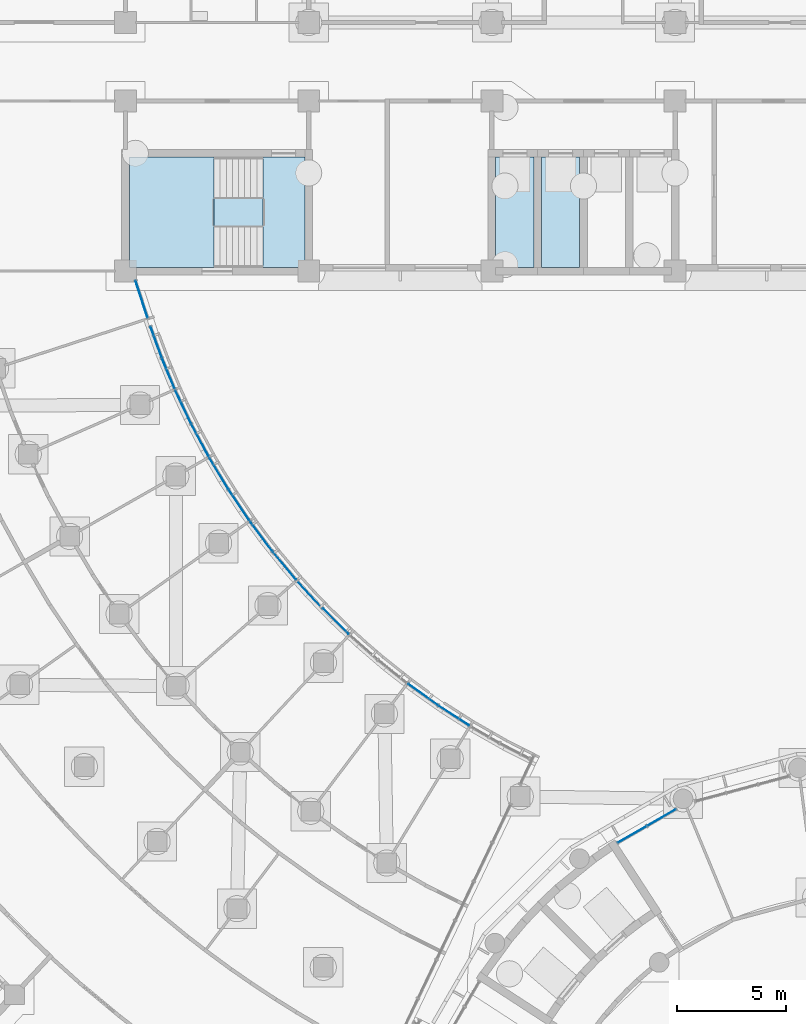
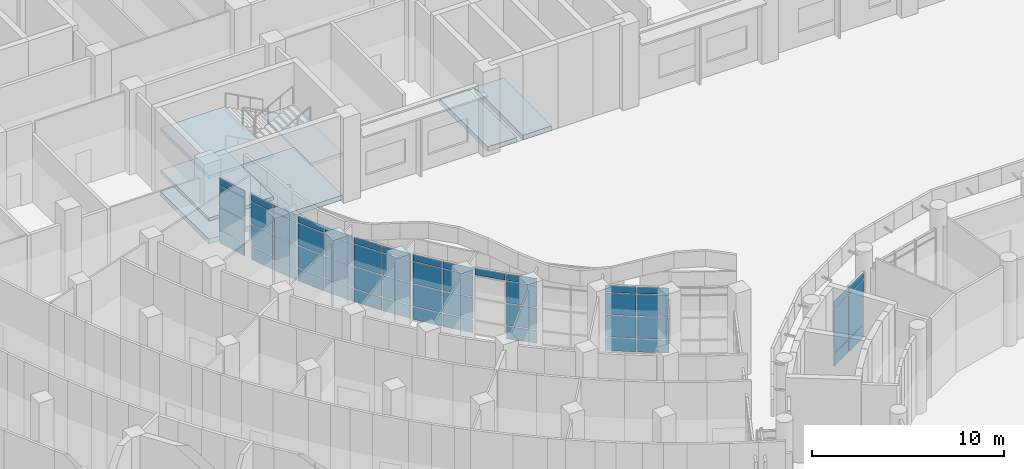
# One storey, part 45 of 146: 55 plates, 6 slabs, 9 elements without a shape of their own.
"""IFC4 building model written with IfcOpenShell, lengths in metres."""

from ifc_helpers import new_model, si_unit, direction, frame, origin, origin_2d, place, context, subcontext, project, spatial, polyline, rectangle, outline, extrude, material, layer, layer_set, type_object, element, aggregate, save


model = new_model("IFC4")

# Units and contexts
model_context = context("Model", 3, precision=1e-05, world=origin(), true_north=direction((0.0, 1.0)))
body_context = subcontext(model_context, "Body", "Model", "MODEL_VIEW")
ifc_project = project(units=[si_unit("LENGTHUNIT", "METRE"), si_unit("AREAUNIT", "SQUARE_METRE"), si_unit("VOLUMEUNIT", "CUBIC_METRE"), si_unit("PLANEANGLEUNIT", "RADIAN"), si_unit("MASSUNIT", "GRAM", prefix="KILO")], contexts=[model_context])

# Site, building, storey
site_placement = place(None, origin())
site = spatial("IfcSite", under=ifc_project, at=site_placement, CompositionType="ELEMENT")
building_placement = place(site_placement, origin())
building = spatial("IfcBuilding", under=site, at=building_placement, Name="Bougainvillea Quay General Hospital", CompositionType="ELEMENT")
storey_placement = place(building_placement, origin())
storey = spatial("IfcBuildingStorey", under=building, at=storey_placement, Name="L00", CompositionType="ELEMENT", Elevation=0.0)

# Curtain wall, plates
ifc_material_1 = material(Name="Aluminium curtain wall system, powder-coated glazed", Category="aluminium")
curtain_wall_type_1 = type_object("IfcCurtainWallType", Name="Unitised curtain wall CW-2100", PredefinedType="NOTDEFINED", material=ifc_material_1)
curtain_wall_1_placement = place(storey_placement, origin())
curtain_wall_1 = element("IfcCurtainWall", 1, at=curtain_wall_1_placement, inside=storey, type_object=curtain_wall_type_1, Name="CW-W02 a11b1", PredefinedType="NOTDEFINED")
ifc_material_2 = material(Name="Insulated aluminium spandrel panel, white", Category="aluminium")
ifc_layer_1 = layer(ifc_material_2, 0.028076171875)
ifc_layer_set_1 = layer_set([ifc_layer_1], Name="Insulated aluminium spandrel panel, white")
plate_type_1 = type_object("IfcPlateType", Name="Insulated spandrel panel white 28", PredefinedType="CURTAIN_PANEL", material=ifc_layer_set_1)
plate_1_placement = place(storey_placement, frame((90.657470703125, 97.216796875, 0.06005859375), z_axis=(0.0, 0.0, 1.0), x_axis=(-0.840897357359, 0.541194636325, 0.0)))
plate_1 = element("IfcPlate", 2, at=plate_1_placement, type_object=plate_type_1, Name="CW-W02 spandrel panel 1.1", PredefinedType="CURTAIN_PANEL", context=body_context, shape_type="SweptSolid", body=[
    extrude(rectangle(XDim=1.64697265625, YDim=0.028076171875, at=origin_2d()), origin(), (0.0, 0.0, 1.0), 0.81005859375),
])
plate_2_placement = place(storey_placement, frame((90.657470703125, 97.216796875, 3.7802734375), z_axis=(0.0, 0.0, 1.0), x_axis=(-0.840897357359, 0.541194636325, 0.0)))
plate_2 = element("IfcPlate", 3, at=plate_2_placement, type_object=plate_type_1, Name="CW-W02 spandrel panel 1.4", PredefinedType="CURTAIN_PANEL", context=body_context, shape_type="SweptSolid", body=[
    extrude(rectangle(XDim=1.64697265625, YDim=0.028076171875, at=origin_2d()), origin(), (0.0, 0.0, 1.0), 0.409912109375),
])
plate_3_placement = place(storey_placement, frame((89.246337890625, 98.17626953125, 0.06005859375), z_axis=(0.0, 0.0, 1.0), x_axis=(-0.812378779606, 0.583130104218, 0.0)))
plate_3 = element("IfcPlate", 4, at=plate_3_placement, type_object=plate_type_1, Name="CW-W02 spandrel panel 2.1", PredefinedType="CURTAIN_PANEL", context=body_context, shape_type="SweptSolid", body=[
    extrude(rectangle(XDim=1.64697265625, YDim=0.028076171875, at=origin_2d()), origin(), (0.0, 0.0, 1.0), 0.81005859375),
])
plate_4_placement = place(storey_placement, frame((89.246337890625, 98.17626953125, 3.7802734375), z_axis=(0.0, 0.0, 1.0), x_axis=(-0.812378779606, 0.583130104218, 0.0)))
plate_4 = element("IfcPlate", 5, at=plate_4_placement, type_object=plate_type_1, Name="CW-W02 spandrel panel 2.4", PredefinedType="CURTAIN_PANEL", context=body_context, shape_type="SweptSolid", body=[
    extrude(rectangle(XDim=1.64697265625, YDim=0.028076171875, at=origin_2d()), origin(), (0.0, 0.0, 1.0), 0.409912109375),
])

curtain_wall_2_placement = place(storey_placement, origin())
curtain_wall_2 = element("IfcCurtainWall", 6, at=curtain_wall_2_placement, inside=storey, type_object=curtain_wall_type_1, Name="CW-W04 a11b3", PredefinedType="NOTDEFINED")
plate_5_placement = place(storey_placement, frame((85.23828125, 101.543212890625, 0.06005859375), z_axis=(0.0, 0.0, 1.0), x_axis=(-0.714606992183, 0.699526158712, 0.0)))
plate_5 = element("IfcPlate", 7, at=plate_5_placement, type_object=plate_type_1, Name="CW-W04 spandrel panel 1.1", PredefinedType="CURTAIN_PANEL", context=body_context, shape_type="SweptSolid", body=[
    extrude(rectangle(XDim=1.64697265625, YDim=0.028076171875, at=origin_2d()), origin(), (0.0, 0.0, 1.0), 0.81005859375),
])
plate_6_placement = place(storey_placement, frame((85.23828125, 101.543212890625, 3.7802734375), z_axis=(0.0, 0.0, 1.0), x_axis=(-0.714606992183, 0.699526158712, 0.0)))
plate_6 = element("IfcPlate", 8, at=plate_6_placement, type_object=plate_type_1, Name="CW-W04 spandrel panel 1.4", PredefinedType="CURTAIN_PANEL", context=body_context, shape_type="SweptSolid", body=[
    extrude(rectangle(XDim=1.64697265625, YDim=0.028076171875, at=origin_2d()), origin(), (0.0, 0.0, 1.0), 0.409912109375),
])
plate_7_placement = place(storey_placement, frame((84.049560546875, 102.767333984375, 3.7802734375), z_axis=(0.0, 0.0, 1.0), x_axis=(-0.678223800683, 0.734855411756, 0.0)))
plate_7 = element("IfcPlate", 9, at=plate_7_placement, type_object=plate_type_1, Name="CW-W04 spandrel panel 2.4", PredefinedType="CURTAIN_PANEL", context=body_context, shape_type="SweptSolid", body=[
    extrude(rectangle(XDim=1.64697265625, YDim=0.028076171875, at=origin_2d()), origin(), (0.0, 0.0, 1.0), 0.409912109375),
])

curtain_wall_3_placement = place(storey_placement, origin())
curtain_wall_3 = element("IfcCurtainWall", 10, at=curtain_wall_3_placement, inside=storey, type_object=curtain_wall_type_1, Name="CW-W05 a11b4", PredefinedType="NOTDEFINED")
plate_8_placement = place(storey_placement, frame((82.884765625, 104.09521484375, 0.06005859375), z_axis=(0.0, 0.0, 1.0), x_axis=(-0.64009629031, 0.768294695498, 0.0)))
plate_8 = element("IfcPlate", 11, at=plate_8_placement, type_object=plate_type_1, Name="CW-W05 spandrel panel 1.1", PredefinedType="CURTAIN_PANEL", context=body_context, shape_type="SweptSolid", body=[
    extrude(rectangle(XDim=1.64697265625, YDim=0.028076171875, at=origin_2d()), origin(), (0.0, 0.0, 1.0), 0.81005859375),
])
plate_9_placement = place(storey_placement, frame((82.884765625, 104.09521484375, 3.7802734375), z_axis=(0.0, 0.0, 1.0), x_axis=(-0.64009629031, 0.768294695498, 0.0)))
plate_9 = element("IfcPlate", 12, at=plate_9_placement, type_object=plate_type_1, Name="CW-W05 spandrel panel 1.4", PredefinedType="CURTAIN_PANEL", context=body_context, shape_type="SweptSolid", body=[
    extrude(rectangle(XDim=1.64697265625, YDim=0.028076171875, at=origin_2d()), origin(), (0.0, 0.0, 1.0), 0.409912109375),
])
plate_10_placement = place(storey_placement, frame((81.826171875, 105.43359375, 0.06005859375), z_axis=(0.0, 0.0, 1.0), x_axis=(-0.600322520933, 0.799758007688, 0.0)))
plate_10 = element("IfcPlate", 13, at=plate_10_placement, type_object=plate_type_1, Name="CW-W05 spandrel panel 2.1", PredefinedType="CURTAIN_PANEL", context=body_context, shape_type="SweptSolid", body=[
    extrude(rectangle(XDim=1.64697265625, YDim=0.028076171875, at=origin_2d()), origin(), (0.0, 0.0, 1.0), 0.81005859375),
])
plate_11_placement = place(storey_placement, frame((81.826171875, 105.43359375, 3.7802734375), z_axis=(0.0, 0.0, 1.0), x_axis=(-0.600322520933, 0.799758007688, 0.0)))
plate_11 = element("IfcPlate", 14, at=plate_11_placement, type_object=plate_type_1, Name="CW-W05 spandrel panel 2.4", PredefinedType="CURTAIN_PANEL", context=body_context, shape_type="SweptSolid", body=[
    extrude(rectangle(XDim=1.64697265625, YDim=0.028076171875, at=origin_2d()), origin(), (0.0, 0.0, 1.0), 0.409912109375),
])

curtain_wall_4_placement = place(storey_placement, origin())
curtain_wall_4 = element("IfcCurtainWall", 15, at=curtain_wall_4_placement, inside=storey, type_object=curtain_wall_type_1, Name="CW-W06 a11b5", PredefinedType="NOTDEFINED")
plate_12_placement = place(storey_placement, frame((80.802001953125, 106.872802734375, 0.06005859375), z_axis=(0.0, 0.0, 1.0), x_axis=(-0.55900478642, 0.82916442806, 0.0)))
plate_12 = element("IfcPlate", 16, at=plate_12_placement, type_object=plate_type_1, Name="CW-W06 spandrel panel 1.1", PredefinedType="CURTAIN_PANEL", context=body_context, shape_type="SweptSolid", body=[
    extrude(rectangle(XDim=1.64697265625, YDim=0.028076171875, at=origin_2d()), origin(), (0.0, 0.0, 1.0), 0.81005859375),
])
plate_13_placement = place(storey_placement, frame((80.802001953125, 106.872802734375, 3.7802734375), z_axis=(0.0, 0.0, 1.0), x_axis=(-0.55900478642, 0.82916442806, 0.0)))
plate_13 = element("IfcPlate", 17, at=plate_13_placement, type_object=plate_type_1, Name="CW-W06 spandrel panel 1.4", PredefinedType="CURTAIN_PANEL", context=body_context, shape_type="SweptSolid", body=[
    extrude(rectangle(XDim=1.64697265625, YDim=0.028076171875, at=origin_2d()), origin(), (0.0, 0.0, 1.0), 0.409912109375),
])
plate_14_placement = place(storey_placement, frame((79.88427734375, 108.311279296875, 0.06005859375), z_axis=(0.0, 0.0, 1.0), x_axis=(-0.516249351553, 0.856438326455, 0.0)))
plate_14 = element("IfcPlate", 18, at=plate_14_placement, type_object=plate_type_1, Name="CW-W06 spandrel panel 2.1", PredefinedType="CURTAIN_PANEL", context=body_context, shape_type="SweptSolid", body=[
    extrude(rectangle(XDim=1.64697265625, YDim=0.028076171875, at=origin_2d()), origin(), (0.0, 0.0, 1.0), 0.81005859375),
])
plate_15_placement = place(storey_placement, frame((79.88427734375, 108.311279296875, 3.7802734375), z_axis=(0.0, 0.0, 1.0), x_axis=(-0.516249351553, 0.856438326455, 0.0)))
plate_15 = element("IfcPlate", 19, at=plate_15_placement, type_object=plate_type_1, Name="CW-W06 spandrel panel 2.4", PredefinedType="CURTAIN_PANEL", context=body_context, shape_type="SweptSolid", body=[
    extrude(rectangle(XDim=1.64697265625, YDim=0.028076171875, at=origin_2d()), origin(), (0.0, 0.0, 1.0), 0.409912109375),
])

curtain_wall_5_placement = place(storey_placement, origin())
curtain_wall_5 = element("IfcCurtainWall", 20, at=curtain_wall_5_placement, inside=storey, type_object=curtain_wall_type_1, Name="CW-W07 a11b6", PredefinedType="NOTDEFINED")
plate_16_placement = place(storey_placement, frame((79.010986328125, 109.8466796875, 0.06005859375), z_axis=(0.0, 0.0, 1.0), x_axis=(-0.472166178724, 0.881509557333, 0.0)))
plate_16 = element("IfcPlate", 21, at=plate_16_placement, type_object=plate_type_1, Name="CW-W07 spandrel panel 1.1", PredefinedType="CURTAIN_PANEL", context=body_context, shape_type="SweptSolid", body=[
    extrude(rectangle(XDim=1.64697265625, YDim=0.028076171875, at=origin_2d()), origin(), (0.0, 0.0, 1.0), 0.81005859375),
])
plate_17_placement = place(storey_placement, frame((79.010986328125, 109.8466796875, 3.7802734375), z_axis=(0.0, 0.0, 1.0), x_axis=(-0.472166178724, 0.881509557333, 0.0)))
plate_17 = element("IfcPlate", 22, at=plate_17_placement, type_object=plate_type_1, Name="CW-W07 spandrel panel 1.4", PredefinedType="CURTAIN_PANEL", context=body_context, shape_type="SweptSolid", body=[
    extrude(rectangle(XDim=1.64697265625, YDim=0.028076171875, at=origin_2d()), origin(), (0.0, 0.0, 1.0), 0.409912109375),
])
plate_18_placement = place(storey_placement, frame((78.24365234375, 111.370849609375, 0.06005859375), z_axis=(0.0, 0.0, 1.0), x_axis=(-0.426868645126, 0.904313640176, 0.0)))
plate_18 = element("IfcPlate", 23, at=plate_18_placement, type_object=plate_type_1, Name="CW-W07 spandrel panel 2.1", PredefinedType="CURTAIN_PANEL", context=body_context, shape_type="SweptSolid", body=[
    extrude(rectangle(XDim=1.64697265625, YDim=0.028076171875, at=origin_2d()), origin(), (0.0, 0.0, 1.0), 0.81005859375),
])
plate_19_placement = place(storey_placement, frame((78.24365234375, 111.370849609375, 3.7802734375), z_axis=(0.0, 0.0, 1.0), x_axis=(-0.426868645126, 0.904313640176, 0.0)))
plate_19 = element("IfcPlate", 24, at=plate_19_placement, type_object=plate_type_1, Name="CW-W07 spandrel panel 2.4", PredefinedType="CURTAIN_PANEL", context=body_context, shape_type="SweptSolid", body=[
    extrude(rectangle(XDim=1.64697265625, YDim=0.028076171875, at=origin_2d()), origin(), (0.0, 0.0, 1.0), 0.409912109375),
])

curtain_wall_6_placement = place(storey_placement, origin())
curtain_wall_6 = element("IfcCurtainWall", 25, at=curtain_wall_6_placement, inside=storey, type_object=curtain_wall_type_1, Name="CW-W08 a11b7", PredefinedType="NOTDEFINED")
plate_20_placement = place(storey_placement, frame((77.56103515625, 112.907470703125, 0.06005859375), z_axis=(0.0, 0.0, 1.0), x_axis=(-0.382770483282, 0.923843470036, 0.0)))
plate_20 = element("IfcPlate", 26, at=plate_20_placement, type_object=plate_type_1, Name="CW-W08 spandrel panel 1.1", PredefinedType="CURTAIN_PANEL", context=body_context, shape_type="SweptSolid", body=[
    extrude(rectangle(XDim=1.476806640625, YDim=0.028076171875, at=origin_2d()), origin(), (0.0, 0.0, 1.0), 0.81005859375),
])
plate_21_placement = place(storey_placement, frame((77.56103515625, 112.907470703125, 3.7802734375), z_axis=(0.0, 0.0, 1.0), x_axis=(-0.382770483282, 0.923843470036, 0.0)))
plate_21 = element("IfcPlate", 27, at=plate_21_placement, type_object=plate_type_1, Name="CW-W08 spandrel panel 1.4", PredefinedType="CURTAIN_PANEL", context=body_context, shape_type="SweptSolid", body=[
    extrude(rectangle(XDim=1.476806640625, YDim=0.028076171875, at=origin_2d()), origin(), (0.0, 0.0, 1.0), 0.409912109375),
])
plate_22_placement = place(storey_placement, frame((77.005615234375, 114.33984375, 0.06005859375), z_axis=(0.0, 0.0, 1.0), x_axis=(-0.340120177444, 0.940381978185, 0.0)))
plate_22 = element("IfcPlate", 28, at=plate_22_placement, type_object=plate_type_1, Name="CW-W08 spandrel panel 2.1", PredefinedType="CURTAIN_PANEL", context=body_context, shape_type="SweptSolid", body=[
    extrude(rectangle(XDim=1.476806640625, YDim=0.028076171875, at=origin_2d()), origin(), (0.0, 0.0, 1.0), 0.81005859375),
])
plate_23_placement = place(storey_placement, frame((77.005615234375, 114.33984375, 3.7802734375), z_axis=(0.0, 0.0, 1.0), x_axis=(-0.340120177444, 0.940381978185, 0.0)))
plate_23 = element("IfcPlate", 29, at=plate_23_placement, type_object=plate_type_1, Name="CW-W08 spandrel panel 2.4", PredefinedType="CURTAIN_PANEL", context=body_context, shape_type="SweptSolid", body=[
    extrude(rectangle(XDim=1.476806640625, YDim=0.028076171875, at=origin_2d()), origin(), (0.0, 0.0, 1.0), 0.409912109375),
])

curtain_wall_type_2 = type_object("IfcCurtainWallType", Name="Unitised curtain wall CW-1875", PredefinedType="NOTDEFINED", material=ifc_material_1)
curtain_wall_7_placement = place(storey_placement, origin())
curtain_wall_7 = element("IfcCurtainWall", 30, at=curtain_wall_7_placement, inside=storey, type_object=curtain_wall_type_2, Name="CW-AE 00", PredefinedType="NOTDEFINED")
plate_24_placement = place(storey_placement, frame((76.336669921875, 116.30712890625, 0.06005859375), z_axis=(0.0, 0.0, 1.0), x_axis=(-0.308970506674, 0.951071619809, 0.0)))
plate_24 = element("IfcPlate", 31, at=plate_24_placement, type_object=plate_type_1, Name="CW-AE spandrel panel 1.1", PredefinedType="CURTAIN_PANEL", context=body_context, shape_type="SweptSolid", body=[
    extrude(rectangle(XDim=1.75439453125, YDim=0.028076171875, at=origin_2d()), origin(), (0.0, 0.0, 1.0), 0.81005859375),
])
plate_25_placement = place(storey_placement, frame((76.336669921875, 116.30712890625, 3.7802734375), z_axis=(0.0, 0.0, 1.0), x_axis=(-0.308970506674, 0.951071619809, 0.0)))
plate_25 = element("IfcPlate", 32, at=plate_25_placement, type_object=plate_type_1, Name="CW-AE spandrel panel 1.4", PredefinedType="CURTAIN_PANEL", context=body_context, shape_type="SweptSolid", body=[
    extrude(rectangle(XDim=1.75439453125, YDim=0.028076171875, at=origin_2d()), origin(), (0.0, 0.0, 1.0), 0.409912109375),
])

curtain_wall_type_3 = type_object("IfcCurtainWallType", Name="Unitised curtain wall CW-1585", PredefinedType="NOTDEFINED", material=ifc_material_1)
curtain_wall_8_placement = place(storey_placement, origin())
curtain_wall_8 = element("IfcCurtainWall", 33, at=curtain_wall_8_placement, inside=storey, type_object=curtain_wall_type_3, Name="CW-D 00", PredefinedType="NOTDEFINED")
plate_26_placement = place(storey_placement, frame((100.1826171875, 92.5458984375, 0.06005859375), z_axis=(0.0, 0.0, 1.0), x_axis=(-0.866045865692, -0.499964557262, 0.0)))
plate_26 = element("IfcPlate", 34, at=plate_26_placement, type_object=plate_type_1, Name="CW-D spandrel panel 1.1", PredefinedType="CURTAIN_PANEL", context=body_context, shape_type="SweptSolid", body=[
    extrude(rectangle(XDim=1.494873046875, YDim=0.028076171875, at=origin_2d()), origin(), (0.0, 0.0, 1.0), 0.81005859375),
])
plate_27_placement = place(storey_placement, frame((100.1826171875, 92.5458984375, 3.7802734375), z_axis=(0.0, 0.0, 1.0), x_axis=(-0.866045865692, -0.499964557262, 0.0)))
plate_27 = element("IfcPlate", 35, at=plate_27_placement, type_object=plate_type_1, Name="CW-D spandrel panel 1.3", PredefinedType="CURTAIN_PANEL", context=body_context, shape_type="SweptSolid", body=[
    extrude(rectangle(XDim=1.494873046875, YDim=0.028076171875, at=origin_2d()), origin(), (0.0, 0.0, 1.0), 0.409912109375),
])
plate_28_placement = place(storey_placement, frame((98.8359375, 91.768310546875, 0.06005859375), z_axis=(0.0, 0.0, 1.0), x_axis=(-0.866045865692, -0.499964557262, 0.0)))
plate_28 = element("IfcPlate", 36, at=plate_28_placement, type_object=plate_type_1, Name="CW-D spandrel panel 2.1", PredefinedType="CURTAIN_PANEL", context=body_context, shape_type="SweptSolid", body=[
    extrude(rectangle(XDim=1.494873046875, YDim=0.028076171875, at=origin_2d()), origin(), (0.0, 0.0, 1.0), 0.81005859375),
])
plate_29_placement = place(storey_placement, frame((98.8359375, 91.768310546875, 3.7802734375), z_axis=(0.0, 0.0, 1.0), x_axis=(-0.866045865692, -0.499964557262, 0.0)))
plate_29 = element("IfcPlate", 37, at=plate_29_placement, type_object=plate_type_1, Name="CW-D spandrel panel 2.3", PredefinedType="CURTAIN_PANEL", context=body_context, shape_type="SweptSolid", body=[
    extrude(rectangle(XDim=1.494873046875, YDim=0.028076171875, at=origin_2d()), origin(), (0.0, 0.0, 1.0), 0.409912109375),
])

# Plate
ifc_material_3 = material(Name="Low-e laminated glass, solar control", Category="glass")
ifc_layer_2 = layer(ifc_material_3, 0.028076171875)
ifc_layer_set_2 = layer_set([ifc_layer_2], Name="Low-e laminated glass, solar control")
plate_type_2 = type_object("IfcPlateType", Name="Low-e laminated vision glass 28", PredefinedType="CURTAIN_PANEL", material=ifc_layer_set_2)
plate_30_placement = place(storey_placement, frame((90.657470703125, 97.216796875, 0.93017578125), z_axis=(0.0, 0.0, 1.0), x_axis=(-0.840897357359, 0.541194636325, 0.0)))
plate_30 = element("IfcPlate", 38, at=plate_30_placement, type_object=plate_type_2, Name="CW-W02 vision glass panel 1.2", PredefinedType="CURTAIN_PANEL", context=body_context, shape_type="SweptSolid", body=[
    extrude(rectangle(XDim=1.64697265625, YDim=0.028076171875, at=origin_2d()), origin(), (0.0, 0.0, 1.0), 1.364990234375),
])

plate_31_placement = place(storey_placement, frame((90.657470703125, 97.216796875, 2.35498046875), z_axis=(0.0, 0.0, 1.0), x_axis=(-0.840897357359, 0.541194636325, 0.0)))
plate_31 = element("IfcPlate", 39, at=plate_31_placement, type_object=plate_type_2, Name="CW-W02 vision glass panel 1.3", PredefinedType="CURTAIN_PANEL", context=body_context, shape_type="SweptSolid", body=[
    extrude(rectangle(XDim=1.64697265625, YDim=0.028076171875, at=origin_2d()), origin(), (0.0, 0.0, 1.0), 1.364990234375),
])

plate_32_placement = place(storey_placement, frame((89.246337890625, 98.17626953125, 0.93017578125), z_axis=(0.0, 0.0, 1.0), x_axis=(-0.812378779606, 0.583130104218, 0.0)))
plate_32 = element("IfcPlate", 40, at=plate_32_placement, type_object=plate_type_2, Name="CW-W02 vision glass panel 2.2", PredefinedType="CURTAIN_PANEL", context=body_context, shape_type="SweptSolid", body=[
    extrude(rectangle(XDim=1.64697265625, YDim=0.028076171875, at=origin_2d()), origin(), (0.0, 0.0, 1.0), 1.364990234375),
])

plate_33_placement = place(storey_placement, frame((89.246337890625, 98.17626953125, 2.35498046875), z_axis=(0.0, 0.0, 1.0), x_axis=(-0.812378779606, 0.583130104218, 0.0)))
plate_33 = element("IfcPlate", 41, at=plate_33_placement, type_object=plate_type_2, Name="CW-W02 vision glass panel 2.3", PredefinedType="CURTAIN_PANEL", context=body_context, shape_type="SweptSolid", body=[
    extrude(rectangle(XDim=1.64697265625, YDim=0.028076171875, at=origin_2d()), origin(), (0.0, 0.0, 1.0), 1.364990234375),
])

aggregate(curtain_wall_1, [plate_1, plate_30, plate_31, plate_2, plate_3, plate_32, plate_33, plate_4])

plate_34_placement = place(storey_placement, frame((85.23828125, 101.543212890625, 0.93017578125), z_axis=(0.0, 0.0, 1.0), x_axis=(-0.714606992183, 0.699526158712, 0.0)))
plate_34 = element("IfcPlate", 42, at=plate_34_placement, type_object=plate_type_2, Name="CW-W04 vision glass panel 1.2", PredefinedType="CURTAIN_PANEL", context=body_context, shape_type="SweptSolid", body=[
    extrude(rectangle(XDim=1.64697265625, YDim=0.028076171875, at=origin_2d()), origin(), (0.0, 0.0, 1.0), 1.364990234375),
])

plate_35_placement = place(storey_placement, frame((85.23828125, 101.543212890625, 2.35498046875), z_axis=(0.0, 0.0, 1.0), x_axis=(-0.714606992183, 0.699526158712, 0.0)))
plate_35 = element("IfcPlate", 43, at=plate_35_placement, type_object=plate_type_2, Name="CW-W04 vision glass panel 1.3", PredefinedType="CURTAIN_PANEL", context=body_context, shape_type="SweptSolid", body=[
    extrude(rectangle(XDim=1.64697265625, YDim=0.028076171875, at=origin_2d()), origin(), (0.0, 0.0, 1.0), 1.364990234375),
])

aggregate(curtain_wall_2, [plate_5, plate_34, plate_35, plate_6, plate_7])

plate_36_placement = place(storey_placement, frame((82.884765625, 104.09521484375, 0.93017578125), z_axis=(0.0, 0.0, 1.0), x_axis=(-0.64009629031, 0.768294695498, 0.0)))
plate_36 = element("IfcPlate", 44, at=plate_36_placement, type_object=plate_type_2, Name="CW-W05 vision glass panel 1.2", PredefinedType="CURTAIN_PANEL", context=body_context, shape_type="SweptSolid", body=[
    extrude(rectangle(XDim=1.64697265625, YDim=0.028076171875, at=origin_2d()), origin(), (0.0, 0.0, 1.0), 1.364990234375),
])

plate_37_placement = place(storey_placement, frame((82.884765625, 104.09521484375, 2.35498046875), z_axis=(0.0, 0.0, 1.0), x_axis=(-0.64009629031, 0.768294695498, 0.0)))
plate_37 = element("IfcPlate", 45, at=plate_37_placement, type_object=plate_type_2, Name="CW-W05 vision glass panel 1.3", PredefinedType="CURTAIN_PANEL", context=body_context, shape_type="SweptSolid", body=[
    extrude(rectangle(XDim=1.64697265625, YDim=0.028076171875, at=origin_2d()), origin(), (0.0, 0.0, 1.0), 1.364990234375),
])

plate_38_placement = place(storey_placement, frame((81.826171875, 105.43359375, 0.93017578125), z_axis=(0.0, 0.0, 1.0), x_axis=(-0.600322520933, 0.799758007688, 0.0)))
plate_38 = element("IfcPlate", 46, at=plate_38_placement, type_object=plate_type_2, Name="CW-W05 vision glass panel 2.2", PredefinedType="CURTAIN_PANEL", context=body_context, shape_type="SweptSolid", body=[
    extrude(rectangle(XDim=1.64697265625, YDim=0.028076171875, at=origin_2d()), origin(), (0.0, 0.0, 1.0), 1.364990234375),
])

plate_39_placement = place(storey_placement, frame((81.826171875, 105.43359375, 2.35498046875), z_axis=(0.0, 0.0, 1.0), x_axis=(-0.600322520933, 0.799758007688, 0.0)))
plate_39 = element("IfcPlate", 47, at=plate_39_placement, type_object=plate_type_2, Name="CW-W05 vision glass panel 2.3", PredefinedType="CURTAIN_PANEL", context=body_context, shape_type="SweptSolid", body=[
    extrude(rectangle(XDim=1.64697265625, YDim=0.028076171875, at=origin_2d()), origin(), (0.0, 0.0, 1.0), 1.364990234375),
])

aggregate(curtain_wall_3, [plate_8, plate_36, plate_37, plate_9, plate_10, plate_38, plate_39, plate_11])

plate_40_placement = place(storey_placement, frame((80.802001953125, 106.872802734375, 0.93017578125), z_axis=(0.0, 0.0, 1.0), x_axis=(-0.55900478642, 0.82916442806, 0.0)))
plate_40 = element("IfcPlate", 48, at=plate_40_placement, type_object=plate_type_2, Name="CW-W06 vision glass panel 1.2", PredefinedType="CURTAIN_PANEL", context=body_context, shape_type="SweptSolid", body=[
    extrude(rectangle(XDim=1.64697265625, YDim=0.028076171875, at=origin_2d()), origin(), (0.0, 0.0, 1.0), 1.364990234375),
])

plate_41_placement = place(storey_placement, frame((80.802001953125, 106.872802734375, 2.35498046875), z_axis=(0.0, 0.0, 1.0), x_axis=(-0.55900478642, 0.82916442806, 0.0)))
plate_41 = element("IfcPlate", 49, at=plate_41_placement, type_object=plate_type_2, Name="CW-W06 vision glass panel 1.3", PredefinedType="CURTAIN_PANEL", context=body_context, shape_type="SweptSolid", body=[
    extrude(rectangle(XDim=1.64697265625, YDim=0.028076171875, at=origin_2d()), origin(), (0.0, 0.0, 1.0), 1.364990234375),
])

plate_42_placement = place(storey_placement, frame((79.88427734375, 108.311279296875, 0.93017578125), z_axis=(0.0, 0.0, 1.0), x_axis=(-0.516249351553, 0.856438326455, 0.0)))
plate_42 = element("IfcPlate", 50, at=plate_42_placement, type_object=plate_type_2, Name="CW-W06 vision glass panel 2.2", PredefinedType="CURTAIN_PANEL", context=body_context, shape_type="SweptSolid", body=[
    extrude(rectangle(XDim=1.64697265625, YDim=0.028076171875, at=origin_2d()), origin(), (0.0, 0.0, 1.0), 1.364990234375),
])

plate_43_placement = place(storey_placement, frame((79.88427734375, 108.311279296875, 2.35498046875), z_axis=(0.0, 0.0, 1.0), x_axis=(-0.516249351553, 0.856438326455, 0.0)))
plate_43 = element("IfcPlate", 51, at=plate_43_placement, type_object=plate_type_2, Name="CW-W06 vision glass panel 2.3", PredefinedType="CURTAIN_PANEL", context=body_context, shape_type="SweptSolid", body=[
    extrude(rectangle(XDim=1.64697265625, YDim=0.028076171875, at=origin_2d()), origin(), (0.0, 0.0, 1.0), 1.364990234375),
])

aggregate(curtain_wall_4, [plate_12, plate_40, plate_41, plate_13, plate_14, plate_42, plate_43, plate_15])

plate_44_placement = place(storey_placement, frame((79.010986328125, 109.8466796875, 0.93017578125), z_axis=(0.0, 0.0, 1.0), x_axis=(-0.472166178724, 0.881509557333, 0.0)))
plate_44 = element("IfcPlate", 52, at=plate_44_placement, type_object=plate_type_2, Name="CW-W07 vision glass panel 1.2", PredefinedType="CURTAIN_PANEL", context=body_context, shape_type="SweptSolid", body=[
    extrude(rectangle(XDim=1.64697265625, YDim=0.028076171875, at=origin_2d()), origin(), (0.0, 0.0, 1.0), 1.364990234375),
])

plate_45_placement = place(storey_placement, frame((79.010986328125, 109.8466796875, 2.35498046875), z_axis=(0.0, 0.0, 1.0), x_axis=(-0.472166178724, 0.881509557333, 0.0)))
plate_45 = element("IfcPlate", 53, at=plate_45_placement, type_object=plate_type_2, Name="CW-W07 vision glass panel 1.3", PredefinedType="CURTAIN_PANEL", context=body_context, shape_type="SweptSolid", body=[
    extrude(rectangle(XDim=1.64697265625, YDim=0.028076171875, at=origin_2d()), origin(), (0.0, 0.0, 1.0), 1.364990234375),
])

plate_46_placement = place(storey_placement, frame((78.24365234375, 111.370849609375, 0.93017578125), z_axis=(0.0, 0.0, 1.0), x_axis=(-0.426868645126, 0.904313640176, 0.0)))
plate_46 = element("IfcPlate", 54, at=plate_46_placement, type_object=plate_type_2, Name="CW-W07 vision glass panel 2.2", PredefinedType="CURTAIN_PANEL", context=body_context, shape_type="SweptSolid", body=[
    extrude(rectangle(XDim=1.64697265625, YDim=0.028076171875, at=origin_2d()), origin(), (0.0, 0.0, 1.0), 1.364990234375),
])

plate_47_placement = place(storey_placement, frame((78.24365234375, 111.370849609375, 2.35498046875), z_axis=(0.0, 0.0, 1.0), x_axis=(-0.426868645126, 0.904313640176, 0.0)))
plate_47 = element("IfcPlate", 55, at=plate_47_placement, type_object=plate_type_2, Name="CW-W07 vision glass panel 2.3", PredefinedType="CURTAIN_PANEL", context=body_context, shape_type="SweptSolid", body=[
    extrude(rectangle(XDim=1.64697265625, YDim=0.028076171875, at=origin_2d()), origin(), (0.0, 0.0, 1.0), 1.364990234375),
])

aggregate(curtain_wall_5, [plate_16, plate_44, plate_45, plate_17, plate_18, plate_46, plate_47, plate_19])

plate_48_placement = place(storey_placement, frame((77.56103515625, 112.907470703125, 0.93017578125), z_axis=(0.0, 0.0, 1.0), x_axis=(-0.382770483282, 0.923843470036, 0.0)))
plate_48 = element("IfcPlate", 56, at=plate_48_placement, type_object=plate_type_2, Name="CW-W08 vision glass panel 1.2", PredefinedType="CURTAIN_PANEL", context=body_context, shape_type="SweptSolid", body=[
    extrude(rectangle(XDim=1.476806640625, YDim=0.028076171875, at=origin_2d()), origin(), (0.0, 0.0, 1.0), 1.364990234375),
])

plate_49_placement = place(storey_placement, frame((77.56103515625, 112.907470703125, 2.35498046875), z_axis=(0.0, 0.0, 1.0), x_axis=(-0.382770483282, 0.923843470036, 0.0)))
plate_49 = element("IfcPlate", 57, at=plate_49_placement, type_object=plate_type_2, Name="CW-W08 vision glass panel 1.3", PredefinedType="CURTAIN_PANEL", context=body_context, shape_type="SweptSolid", body=[
    extrude(rectangle(XDim=1.476806640625, YDim=0.028076171875, at=origin_2d()), origin(), (0.0, 0.0, 1.0), 1.364990234375),
])

plate_50_placement = place(storey_placement, frame((77.005615234375, 114.33984375, 0.93017578125), z_axis=(0.0, 0.0, 1.0), x_axis=(-0.340120177444, 0.940381978185, 0.0)))
plate_50 = element("IfcPlate", 58, at=plate_50_placement, type_object=plate_type_2, Name="CW-W08 vision glass panel 2.2", PredefinedType="CURTAIN_PANEL", context=body_context, shape_type="SweptSolid", body=[
    extrude(rectangle(XDim=1.476806640625, YDim=0.028076171875, at=origin_2d()), origin(), (0.0, 0.0, 1.0), 1.364990234375),
])

plate_51_placement = place(storey_placement, frame((77.005615234375, 114.33984375, 2.35498046875), z_axis=(0.0, 0.0, 1.0), x_axis=(-0.340120177444, 0.940381978185, 0.0)))
plate_51 = element("IfcPlate", 59, at=plate_51_placement, type_object=plate_type_2, Name="CW-W08 vision glass panel 2.3", PredefinedType="CURTAIN_PANEL", context=body_context, shape_type="SweptSolid", body=[
    extrude(rectangle(XDim=1.476806640625, YDim=0.028076171875, at=origin_2d()), origin(), (0.0, 0.0, 1.0), 1.364990234375),
])

aggregate(curtain_wall_6, [plate_20, plate_48, plate_49, plate_21, plate_22, plate_50, plate_51, plate_23])

plate_52_placement = place(storey_placement, frame((76.336669921875, 116.30712890625, 0.93017578125), z_axis=(0.0, 0.0, 1.0), x_axis=(-0.308970506674, 0.951071619809, 0.0)))
plate_52 = element("IfcPlate", 60, at=plate_52_placement, type_object=plate_type_2, Name="CW-AE vision glass panel 1.2", PredefinedType="CURTAIN_PANEL", context=body_context, shape_type="SweptSolid", body=[
    extrude(rectangle(XDim=1.75439453125, YDim=0.028076171875, at=origin_2d()), origin(), (0.0, 0.0, 1.0), 1.364990234375),
])

plate_53_placement = place(storey_placement, frame((76.336669921875, 116.30712890625, 2.35498046875), z_axis=(0.0, 0.0, 1.0), x_axis=(-0.308970506674, 0.951071619809, 0.0)))
plate_53 = element("IfcPlate", 61, at=plate_53_placement, type_object=plate_type_2, Name="CW-AE vision glass panel 1.3", PredefinedType="CURTAIN_PANEL", context=body_context, shape_type="SweptSolid", body=[
    extrude(rectangle(XDim=1.75439453125, YDim=0.028076171875, at=origin_2d()), origin(), (0.0, 0.0, 1.0), 1.364990234375),
])

aggregate(curtain_wall_7, [plate_24, plate_52, plate_53, plate_25])

plate_54_placement = place(storey_placement, frame((100.1826171875, 92.5458984375, 0.929931640625), z_axis=(0.0, 0.0, 1.0), x_axis=(-0.866045865692, -0.499964557262, 0.0)))
plate_54 = element("IfcPlate", 62, at=plate_54_placement, type_object=plate_type_2, Name="CW-D vision glass panel 1.2", PredefinedType="CURTAIN_PANEL", context=body_context, shape_type="SweptSolid", body=[
    extrude(rectangle(XDim=1.494873046875, YDim=0.028076171875, at=origin_2d()), origin(), (0.0, 0.0, 1.0), 2.7900390625),
])

plate_55_placement = place(storey_placement, frame((98.8359375, 91.768310546875, 0.929931640625), z_axis=(0.0, 0.0, 1.0), x_axis=(-0.866045865692, -0.499964557262, 0.0)))
plate_55 = element("IfcPlate", 63, at=plate_55_placement, type_object=plate_type_2, Name="CW-D vision glass panel 2.2", PredefinedType="CURTAIN_PANEL", context=body_context, shape_type="SweptSolid", body=[
    extrude(rectangle(XDim=1.494873046875, YDim=0.028076171875, at=origin_2d()), origin(), (0.0, 0.0, 1.0), 2.7900390625),
])

aggregate(curtain_wall_8, [plate_26, plate_54, plate_27, plate_28, plate_55, plate_29])

# Slabs
ifc_material_4 = material(Name="Concrete C35", Category="concrete")
ifc_layer_3 = layer(ifc_material_4, 0.300048828125)
ifc_layer_set_3 = layer_set([ifc_layer_3], Name="Concrete C35")
slab_type_1 = type_object("IfcSlabType", Name="RC FLAT SLAB 300 C35 GROUND", PredefinedType="BASESLAB", material=ifc_layer_set_3)
slab_1_placement = place(storey_placement, frame((0.0, 0.0, -0.300048828125)))
element("IfcSlab", 64, at=slab_1_placement, inside=storey, type_object=slab_type_1, Name="Slab S1 L00", PredefinedType="BASESLAB", context=body_context, shape_type="SweptSolid", body=[
    extrude(outline(polyline([(75.77490234375, 122.824951171875), (75.77490234375, 117.77490234375), (83.824951171875, 117.77490234375), (83.824951171875, 122.824951171875), (75.77490234375, 122.824951171875)])), origin(), (0.0, 0.0, 1.0), 0.300048828125),
])
slab_2_placement = place(storey_placement, frame((0.0, 0.0, -0.300048828125)))
element("IfcSlab", 65, at=slab_2_placement, inside=storey, type_object=slab_type_1, Name="Slab S1 L00", PredefinedType="BASESLAB", context=body_context, shape_type="SweptSolid", body=[
    extrude(outline(polyline([(96.425048828125, 117.77490234375), (96.425048828125, 122.824951171875), (94.675048828125, 122.824951171875), (94.675048828125, 117.77490234375), (96.425048828125, 117.77490234375)])), origin(), (0.0, 0.0, 1.0), 0.300048828125),
])
slab_3_placement = place(storey_placement, frame((0.0, 0.0, -0.300048828125)))
element("IfcSlab", 66, at=slab_3_placement, inside=storey, type_object=slab_type_1, Name="Slab S1 L00", PredefinedType="BASESLAB", context=body_context, shape_type="SweptSolid", body=[
    extrude(outline(polyline([(92.574951171875, 122.824951171875), (92.574951171875, 117.77490234375), (94.324951171875, 117.77490234375), (94.324951171875, 122.824951171875), (92.574951171875, 122.824951171875)])), origin(), (0.0, 0.0, 1.0), 0.300048828125),
])

# Stair, slabs
stair_type = type_object("IfcStairType", Name="Stair half-turn 1925 wide", PredefinedType="HALF_TURN_STAIR", material=ifc_material_4)
stair_placement = place(storey_placement, origin())
stair = element("IfcStair", 67, at=stair_placement, inside=storey, type_object=stair_type, Name="L00 stair ST-B2", PredefinedType="HALF_TURN_STAIR")
ifc_layer_4 = layer(ifc_material_4, 0.199951171875)
ifc_layer_set_4 = layer_set([ifc_layer_4], Name="Concrete C35")
slab_type_2 = type_object("IfcSlabType", Name="Stair landing 200", PredefinedType="LANDING", material=ifc_layer_set_4)
slab_4_placement = place(storey_placement, frame((0.0, 0.0, 1.14990234375)))
slab_4 = element("IfcSlab", 68, at=slab_4_placement, type_object=slab_type_2, Name="ST-B2 landing 1", PredefinedType="LANDING", context=body_context, shape_type="SweptSolid", body=[
    extrude(outline(polyline([(79.659912109375, 122.824951171875), (75.77490234375, 122.824951171875), (75.77490234375, 117.77490234375), (79.659912109375, 117.77490234375), (79.659912109375, 122.824951171875)])), origin(), (0.0, 0.0, 1.0), 0.2001953125),
])
slab_5_placement = place(storey_placement, frame((0.0, 0.0, 2.5)))
slab_5 = element("IfcSlab", 69, at=slab_5_placement, type_object=slab_type_2, Name="ST-B2 landing 2", PredefinedType="LANDING", context=body_context, shape_type="SweptSolid", body=[
    extrude(outline(polyline([(83.824951171875, 122.824951171875), (81.89990234375, 122.824951171875), (81.89990234375, 117.77490234375), (83.824951171875, 117.77490234375), (83.824951171875, 122.824951171875)])), origin(), (0.0, 0.0, 1.0), 0.199951171875),
])
slab_6_placement = place(storey_placement, frame((0.0, 0.0, 3.85009765625)))
slab_6 = element("IfcSlab", 70, at=slab_6_placement, type_object=slab_type_2, Name="ST-B2 landing 3", PredefinedType="LANDING", context=body_context, shape_type="SweptSolid", body=[
    extrude(outline(polyline([(79.659912109375, 122.824951171875), (75.77490234375, 122.824951171875), (75.77490234375, 117.77490234375), (79.659912109375, 117.77490234375), (79.659912109375, 122.824951171875)])), origin(), (0.0, 0.0, 1.0), 0.199951171875),
])
aggregate(stair, [slab_4, slab_5, slab_6])

save(model, "model.ifc")
